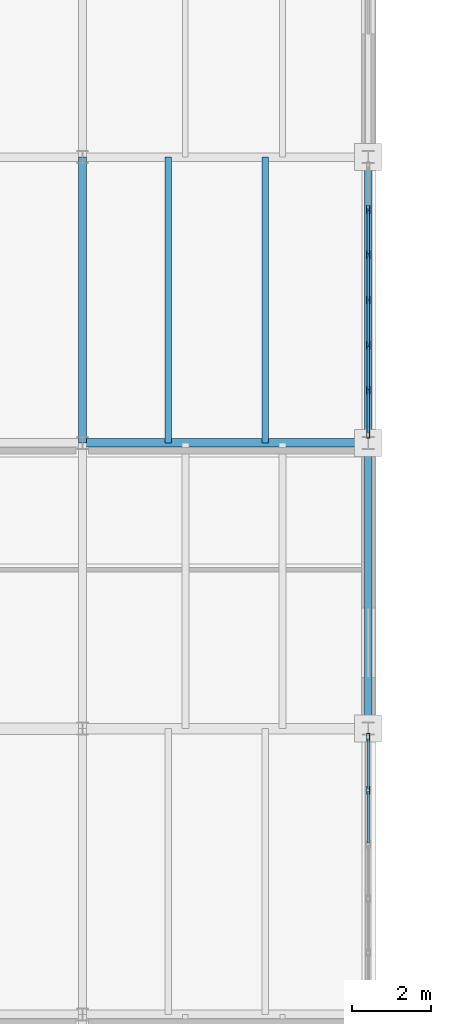
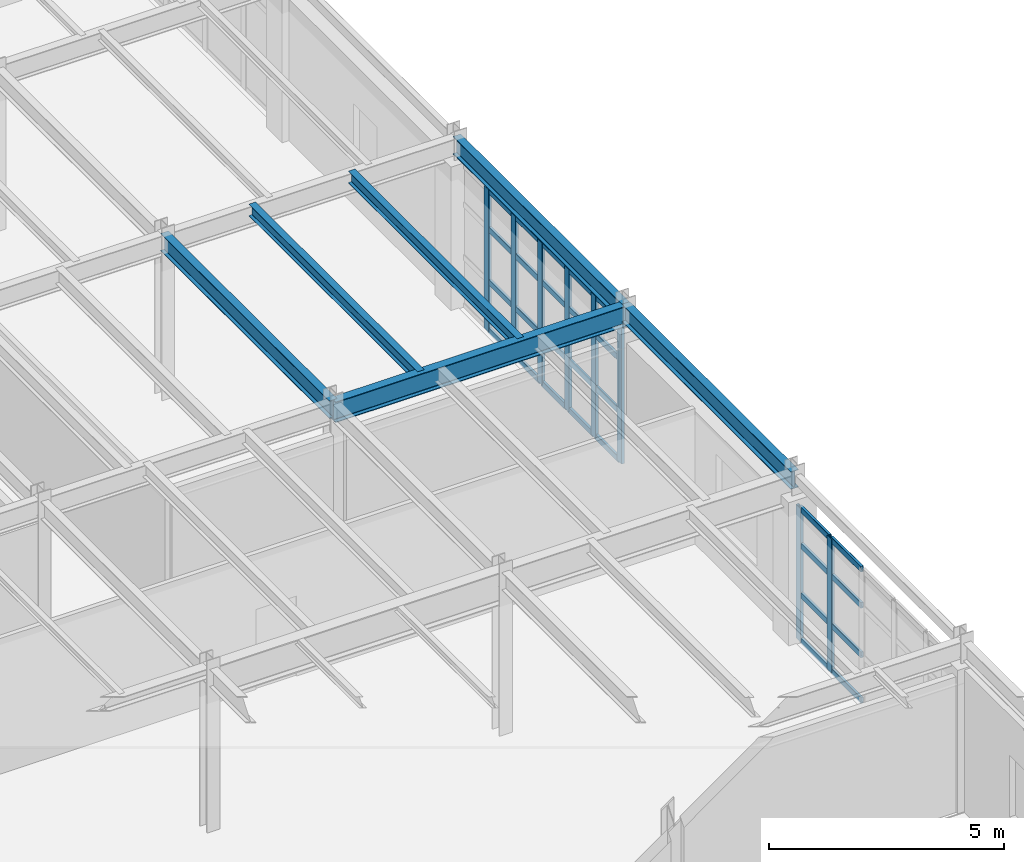
# One storey, part 39 of 137: 36 members, 6 beams, 2 elements without a shape of their own.
"""IFC4 building model written with IfcOpenShell, lengths in metres."""

from ifc_helpers import new_model, si_unit, direction, frame, origin, origin_2d, place, context, subcontext, project, spatial, hollow_rectangle, i_section, extrude, material, layer, layer_set, material_profile, profile_set, type_object, element, aggregate, save


model = new_model("IFC4")

# Units and contexts
model_context = context("Model", 3, precision=1e-05, world=origin(), true_north=direction((0.0, 1.0)))
body_context = subcontext(model_context, "Body", "Model", "MODEL_VIEW")
ifc_project = project(units=[si_unit("LENGTHUNIT", "METRE"), si_unit("AREAUNIT", "SQUARE_METRE"), si_unit("VOLUMEUNIT", "CUBIC_METRE"), si_unit("PLANEANGLEUNIT", "RADIAN"), si_unit("MASSUNIT", "GRAM", prefix="KILO")], contexts=[model_context])

# Site, building, storey
site_placement = place(None, origin())
site = spatial("IfcSite", under=ifc_project, at=site_placement, CompositionType="ELEMENT")
building_placement = place(site_placement, origin())
building = spatial("IfcBuilding", under=site, at=building_placement, Name="Kemerveld Promenade Tramway Depot", CompositionType="ELEMENT")
storey_placement = place(building_placement, frame((0.0, 0.0, 5.39990234375)))
storey = spatial("IfcBuildingStorey", under=building, at=storey_placement, Name="L01", CompositionType="ELEMENT", Elevation=5.39990234375)

# Beams
ifc_material_1 = material(Name="Steel S355", Category="steel")
ifc_material_profile_1 = material_profile(ifc_material_1, i_section(OverallWidth=0.2099609375, OverallDepth=0.53662109375, WebThickness=0.0107421875, FlangeThickness=0.017333984375, FilletRadius=0.0126953125, at=origin_2d()), Name="533x210x101 UB")
ifc_profile_set_1 = profile_set([ifc_material_profile_1], Name="Steel S355")
beam_type_1 = type_object("IfcBeamType", Name="BM-G05", PredefinedType="BEAM", material=ifc_profile_set_1)
beam_1_placement = place(storey_placement, frame((50.39990234375, 57.60009765625, 3.99169921875), z_axis=(1.0, 0.0, 0.0), x_axis=(0.0, 1.0, 0.0)))
element("IfcBeam", 1, at=beam_1_placement, inside=storey, type_object=beam_type_1, Name="BMX-L01-08-09-J", PredefinedType="BEAM", context=body_context, shape_type="SweptSolid", body=[
    extrude(i_section(OverallWidth=0.2099609375, OverallDepth=0.53662109375, WebThickness=0.0107421875, FlangeThickness=0.017333984375, FilletRadius=0.0126953125, at=origin_2d()), origin(), (0.0, 0.0, 1.0), 7.2001953125),
])
ifc_material_profile_2 = material_profile(ifc_material_1, i_section(OverallWidth=0.19140625, OverallDepth=0.4599609375, WebThickness=0.010009765625, FlangeThickness=0.01611328125, FilletRadius=0.01025390625, at=origin_2d()), Name="457x191x82 UB")
ifc_profile_set_2 = profile_set([ifc_material_profile_2], Name="Steel S355")
beam_type_2 = type_object("IfcBeamType", Name="BM-G06", PredefinedType="BEAM", material=ifc_profile_set_2)
beam_2_placement = place(storey_placement, frame((50.39990234375, 57.60009765625, 4.030029296875), z_axis=(0.0, 1.0, 0.0), x_axis=(-1.0, 0.0, 0.0)))
element("IfcBeam", 2, at=beam_2_placement, inside=storey, type_object=beam_type_2, Name="BMY-L01-08-J-K", PredefinedType="BEAM", context=body_context, shape_type="SweptSolid", body=[
    extrude(i_section(OverallWidth=0.19140625, OverallDepth=0.4599609375, WebThickness=0.010009765625, FlangeThickness=0.01611328125, FilletRadius=0.01025390625, at=origin_2d()), origin(), (0.0, 0.0, 1.0), 7.199951171875),
])
beam_3_placement = place(storey_placement, frame((57.60009765625, 50.39990234375, 4.030029296875), z_axis=(0.0, 1.0, 0.0), x_axis=(-1.0, 0.0, 0.0)))
element("IfcBeam", 3, at=beam_3_placement, inside=storey, type_object=beam_type_2, Name="BMY-L01-09-H-J", PredefinedType="BEAM", context=body_context, shape_type="SweptSolid", body=[
    extrude(i_section(OverallWidth=0.19140625, OverallDepth=0.4599609375, WebThickness=0.010009765625, FlangeThickness=0.01611328125, FilletRadius=0.01025390625, at=origin_2d()), origin(), (0.0, 0.0, 1.0), 7.2001953125),
])
beam_4_placement = place(storey_placement, frame((57.60009765625, 57.60009765625, 4.030029296875), z_axis=(0.0, 1.0, 0.0), x_axis=(-1.0, 0.0, 0.0)))
element("IfcBeam", 4, at=beam_4_placement, inside=storey, type_object=beam_type_2, Name="BMY-L01-09-J-K", PredefinedType="BEAM", context=body_context, shape_type="SweptSolid", body=[
    extrude(i_section(OverallWidth=0.19140625, OverallDepth=0.4599609375, WebThickness=0.010009765625, FlangeThickness=0.01611328125, FilletRadius=0.01025390625, at=origin_2d()), origin(), (0.0, 0.0, 1.0), 7.199951171875),
])
ifc_material_profile_3 = material_profile(ifc_material_1, i_section(OverallWidth=0.165771484375, OverallDepth=0.306640625, WebThickness=0.006591796875, FlangeThickness=0.01171875, FilletRadius=0.0087890625, at=origin_2d()), Name="305x165x46 UB")
ifc_profile_set_3 = profile_set([ifc_material_profile_3], Name="Steel S355")
beam_type_3 = type_object("IfcBeamType", Name="BM-J01", PredefinedType="JOIST", material=ifc_profile_set_3)
for number, where, z_axis, x_axis, name in (
    (5, (52.56005859375, 57.60009765625, 4.106689453125), (0.0, 1.0, 0.0), (-1.0, 0.0, 0.0), "JST-L01-08-J-1"),
    (6, (55.008056640625, 57.60009765625, 4.106689453125), (0.0, 1.0, 0.0), (-1.0, 0.0, 0.0), "JST-L01-08-J-2"),
):
    element("IfcBeam", number, at=place(storey_placement, frame(where, z_axis=z_axis, x_axis=x_axis)), inside=storey, type_object=beam_type_3, Name=name, PredefinedType="JOIST", context=body_context, shape_type="SweptSolid", body=[
        extrude(i_section(OverallWidth=0.165771484375, OverallDepth=0.306640625, WebThickness=0.006591796875, FlangeThickness=0.01171875, FilletRadius=0.0087890625, at=origin_2d()), origin(), (0.0, 0.0, 1.0), 7.199951171875),
    ])

# Curtain wall, members
ifc_material_2 = material(Name="Bronze anodised aluminium and solar glass", Category="aluminium")
ifc_layer_1 = layer(ifc_material_2, 0.199951171875)
ifc_layer_set_1 = layer_set([ifc_layer_1], Name="CW-SYS-06")
curtain_wall_type_1 = type_object("IfcCurtainWallType", Name="CW-SYS-06", PredefinedType="USERDEFINED", material=ifc_layer_set_1)
curtain_wall_1_placement = place(storey_placement, origin())
curtain_wall_1 = element("IfcCurtainWall", 7, at=curtain_wall_1_placement, inside=storey, type_object=curtain_wall_type_1, Name="CW-L01-V5E-03", ObjectType="GLAZED_CURTAIN_WALL", PredefinedType="USERDEFINED")
ifc_material_3 = material(Name="Bronze anodised aluminium", Category="aluminium")
ifc_material_profile_4 = material_profile(ifc_material_3, hollow_rectangle(XDim=0.074951171875, YDim=0.199951171875, WallThickness=0.0048828125, InnerFilletRadius=0.001953125, OuterFilletRadius=0.0048828125, at=origin_2d()), Name="CW-MUL-200x75")
ifc_profile_set_4 = profile_set([ifc_material_profile_4], Name="Bronze anodised aluminium")
member_type_1 = type_object("IfcMemberType", Name="CW-MUL-B", PredefinedType="MULLION", material=ifc_profile_set_4)
member_1_placement = place(storey_placement, frame((57.60009765625, 63.477783203125, 0.0), z_axis=(0.0, 0.0, 1.0), x_axis=(1.0, 0.0, 0.0)))
member_1 = element("IfcMember", 8, at=member_1_placement, type_object=member_type_1, Name="CW06 mullion 2", PredefinedType="MULLION", context=body_context, shape_type="SweptSolid", body=[
    extrude(hollow_rectangle(XDim=0.074951171875, YDim=0.199951171875, WallThickness=0.0048828125, InnerFilletRadius=0.001953125, OuterFilletRadius=0.0048828125, at=origin_2d()), origin(), (0.0, 0.0, 1.0), 3.70361328125),
])
member_2_placement = place(storey_placement, frame((57.60009765625, 62.3388671875, 0.0), z_axis=(0.0, 0.0, 1.0), x_axis=(1.0, 0.0, 0.0)))
member_2 = element("IfcMember", 9, at=member_2_placement, type_object=member_type_1, Name="CW06 mullion 3", PredefinedType="MULLION", context=body_context, shape_type="SweptSolid", body=[
    extrude(hollow_rectangle(XDim=0.074951171875, YDim=0.199951171875, WallThickness=0.0048828125, InnerFilletRadius=0.001953125, OuterFilletRadius=0.0048828125, at=origin_2d()), origin(), (0.0, 0.0, 1.0), 3.70361328125),
])
member_3_placement = place(storey_placement, frame((57.60009765625, 61.199951171875, 0.0), z_axis=(0.0, 0.0, 1.0), x_axis=(1.0, 0.0, 0.0)))
member_3 = element("IfcMember", 10, at=member_3_placement, type_object=member_type_1, Name="CW06 mullion 4", PredefinedType="MULLION", context=body_context, shape_type="SweptSolid", body=[
    extrude(hollow_rectangle(XDim=0.074951171875, YDim=0.199951171875, WallThickness=0.0048828125, InnerFilletRadius=0.001953125, OuterFilletRadius=0.0048828125, at=origin_2d()), origin(), (0.0, 0.0, 1.0), 3.70361328125),
])
member_4_placement = place(storey_placement, frame((57.60009765625, 60.061279296875, 0.0), z_axis=(0.0, 0.0, 1.0), x_axis=(1.0, 0.0, 0.0)))
member_4 = element("IfcMember", 11, at=member_4_placement, type_object=member_type_1, Name="CW06 mullion 5", PredefinedType="MULLION", context=body_context, shape_type="SweptSolid", body=[
    extrude(hollow_rectangle(XDim=0.074951171875, YDim=0.199951171875, WallThickness=0.0048828125, InnerFilletRadius=0.001953125, OuterFilletRadius=0.0048828125, at=origin_2d()), origin(), (0.0, 0.0, 1.0), 3.70361328125),
])
member_5_placement = place(storey_placement, frame((57.60009765625, 58.92236328125, 0.0), z_axis=(0.0, 0.0, 1.0), x_axis=(1.0, 0.0, 0.0)))
member_5 = element("IfcMember", 12, at=member_5_placement, type_object=member_type_1, Name="CW06 mullion 6", PredefinedType="MULLION", context=body_context, shape_type="SweptSolid", body=[
    extrude(hollow_rectangle(XDim=0.074951171875, YDim=0.199951171875, WallThickness=0.0048828125, InnerFilletRadius=0.001953125, OuterFilletRadius=0.0048828125, at=origin_2d()), origin(), (0.0, 0.0, 1.0), 3.70361328125),
])
member_6_placement = place(storey_placement, frame((57.60009765625, 57.821044921875, 0.0), z_axis=(0.0, 0.0, 1.0), x_axis=(1.0, 0.0, 0.0)))
member_6 = element("IfcMember", 13, at=member_6_placement, type_object=member_type_1, Name="CW06 mullion 7", PredefinedType="MULLION", context=body_context, shape_type="SweptSolid", body=[
    extrude(hollow_rectangle(XDim=0.074951171875, YDim=0.199951171875, WallThickness=0.0048828125, InnerFilletRadius=0.001953125, OuterFilletRadius=0.0048828125, at=origin_2d()), origin(), (0.0, 0.0, 1.0), 3.70361328125),
])

ifc_layer_2 = layer(ifc_material_2, 0.199951171875)
ifc_layer_set_2 = layer_set([ifc_layer_2], Name="CW-SYS-08")
curtain_wall_type_2 = type_object("IfcCurtainWallType", Name="CW-SYS-08", PredefinedType="USERDEFINED", material=ifc_layer_set_2)
curtain_wall_2_placement = place(storey_placement, origin())
curtain_wall_2 = element("IfcCurtainWall", 14, at=curtain_wall_2_placement, inside=storey, type_object=curtain_wall_type_2, Name="CW-L01-V5E-05", ObjectType="GLAZED_CURTAIN_WALL", PredefinedType="USERDEFINED")
member_7_placement = place(storey_placement, frame((57.60009765625, 50.178955078125, 0.0), z_axis=(0.0, 0.0, 1.0), x_axis=(1.0, 0.0, 0.0)))
member_7 = element("IfcMember", 15, at=member_7_placement, type_object=member_type_1, Name="CW08 mullion 1", PredefinedType="MULLION", context=body_context, shape_type="SweptSolid", body=[
    extrude(hollow_rectangle(XDim=0.074951171875, YDim=0.199951171875, WallThickness=0.0048828125, InnerFilletRadius=0.001953125, OuterFilletRadius=0.0048828125, at=origin_2d()), origin(), (0.0, 0.0, 1.0), 3.477783203125),
])
member_8_placement = place(storey_placement, frame((57.60009765625, 48.849853515625, 0.0), z_axis=(0.0, 0.0, 1.0), x_axis=(1.0, 0.0, 0.0)))
member_8 = element("IfcMember", 16, at=member_8_placement, type_object=member_type_1, Name="CW08 mullion 2", PredefinedType="MULLION", context=body_context, shape_type="SweptSolid", body=[
    extrude(hollow_rectangle(XDim=0.074951171875, YDim=0.199951171875, WallThickness=0.0048828125, InnerFilletRadius=0.001953125, OuterFilletRadius=0.0048828125, at=origin_2d()), origin(), (0.0, 0.0, 1.0), 3.477783203125),
])

# Member
ifc_material_profile_5 = material_profile(ifc_material_3, hollow_rectangle(XDim=0.06494140625, YDim=0.14990234375, WallThickness=0.00439453125, InnerFilletRadius=0.001953125, OuterFilletRadius=0.00439453125, at=origin_2d()), Name="CW-TRN-150x65")
ifc_profile_set_5 = profile_set([ifc_material_profile_5], Name="Bronze anodised aluminium")
member_type_2 = type_object("IfcMemberType", Name="CW-TRN-B", PredefinedType="USERDEFINED", material=ifc_profile_set_5)
member_9_placement = place(storey_placement, frame((57.60009765625, 63.440185546875, 0.03271484375), z_axis=(0.0, -1.0, 0.0), x_axis=(1.0, 0.0, 0.0)))
member_9 = element("IfcMember", 17, at=member_9_placement, type_object=member_type_2, Name="CW06 transom 2.1", ObjectType="TRANSOM", PredefinedType="USERDEFINED", context=body_context, shape_type="SweptSolid", body=[
    extrude(hollow_rectangle(XDim=0.06494140625, YDim=0.14990234375, WallThickness=0.00439453125, InnerFilletRadius=0.001953125, OuterFilletRadius=0.00439453125, at=origin_2d()), origin(), (0.0, 0.0, 1.0), 1.06396484375),
])

member_10_placement = place(storey_placement, frame((57.60009765625, 63.440185546875, 1.296142578125), z_axis=(0.0, -1.0, 0.0), x_axis=(1.0, 0.0, 0.0)))
member_10 = element("IfcMember", 18, at=member_10_placement, type_object=member_type_2, Name="CW06 transom 2.2", ObjectType="TRANSOM", PredefinedType="USERDEFINED", context=body_context, shape_type="SweptSolid", body=[
    extrude(hollow_rectangle(XDim=0.06494140625, YDim=0.14990234375, WallThickness=0.00439453125, InnerFilletRadius=0.001953125, OuterFilletRadius=0.00439453125, at=origin_2d()), origin(), (0.0, 0.0, 1.0), 1.06396484375),
])

member_11_placement = place(storey_placement, frame((57.60009765625, 63.440185546875, 2.666015625), z_axis=(0.0, -1.0, 0.0), x_axis=(1.0, 0.0, 0.0)))
member_11 = element("IfcMember", 19, at=member_11_placement, type_object=member_type_2, Name="CW06 transom 2.3", ObjectType="TRANSOM", PredefinedType="USERDEFINED", context=body_context, shape_type="SweptSolid", body=[
    extrude(hollow_rectangle(XDim=0.06494140625, YDim=0.14990234375, WallThickness=0.00439453125, InnerFilletRadius=0.001953125, OuterFilletRadius=0.00439453125, at=origin_2d()), origin(), (0.0, 0.0, 1.0), 1.06396484375),
])

member_12_placement = place(storey_placement, frame((57.60009765625, 63.440185546875, 3.6708984375), z_axis=(0.0, -1.0, 0.0), x_axis=(1.0, 0.0, 0.0)))
member_12 = element("IfcMember", 20, at=member_12_placement, type_object=member_type_2, Name="CW06 transom 2.4", ObjectType="TRANSOM", PredefinedType="USERDEFINED", context=body_context, shape_type="SweptSolid", body=[
    extrude(hollow_rectangle(XDim=0.06494140625, YDim=0.14990234375, WallThickness=0.00439453125, InnerFilletRadius=0.001953125, OuterFilletRadius=0.00439453125, at=origin_2d()), origin(), (0.0, 0.0, 1.0), 1.06396484375),
])

member_13_placement = place(storey_placement, frame((57.60009765625, 62.30126953125, 0.03271484375), z_axis=(0.0, -1.0, 0.0), x_axis=(1.0, 0.0, 0.0)))
member_13 = element("IfcMember", 21, at=member_13_placement, type_object=member_type_2, Name="CW06 transom 3.1", ObjectType="TRANSOM", PredefinedType="USERDEFINED", context=body_context, shape_type="SweptSolid", body=[
    extrude(hollow_rectangle(XDim=0.06494140625, YDim=0.14990234375, WallThickness=0.00439453125, InnerFilletRadius=0.001953125, OuterFilletRadius=0.00439453125, at=origin_2d()), origin(), (0.0, 0.0, 1.0), 1.063720703125),
])

member_14_placement = place(storey_placement, frame((57.60009765625, 62.30126953125, 1.296142578125), z_axis=(0.0, -1.0, 0.0), x_axis=(1.0, 0.0, 0.0)))
member_14 = element("IfcMember", 22, at=member_14_placement, type_object=member_type_2, Name="CW06 transom 3.2", ObjectType="TRANSOM", PredefinedType="USERDEFINED", context=body_context, shape_type="SweptSolid", body=[
    extrude(hollow_rectangle(XDim=0.06494140625, YDim=0.14990234375, WallThickness=0.00439453125, InnerFilletRadius=0.001953125, OuterFilletRadius=0.00439453125, at=origin_2d()), origin(), (0.0, 0.0, 1.0), 1.063720703125),
])

member_15_placement = place(storey_placement, frame((57.60009765625, 62.30126953125, 2.666015625), z_axis=(0.0, -1.0, 0.0), x_axis=(1.0, 0.0, 0.0)))
member_15 = element("IfcMember", 23, at=member_15_placement, type_object=member_type_2, Name="CW06 transom 3.3", ObjectType="TRANSOM", PredefinedType="USERDEFINED", context=body_context, shape_type="SweptSolid", body=[
    extrude(hollow_rectangle(XDim=0.06494140625, YDim=0.14990234375, WallThickness=0.00439453125, InnerFilletRadius=0.001953125, OuterFilletRadius=0.00439453125, at=origin_2d()), origin(), (0.0, 0.0, 1.0), 1.063720703125),
])

member_16_placement = place(storey_placement, frame((57.60009765625, 62.30126953125, 3.6708984375), z_axis=(0.0, -1.0, 0.0), x_axis=(1.0, 0.0, 0.0)))
member_16 = element("IfcMember", 24, at=member_16_placement, type_object=member_type_2, Name="CW06 transom 3.4", ObjectType="TRANSOM", PredefinedType="USERDEFINED", context=body_context, shape_type="SweptSolid", body=[
    extrude(hollow_rectangle(XDim=0.06494140625, YDim=0.14990234375, WallThickness=0.00439453125, InnerFilletRadius=0.001953125, OuterFilletRadius=0.00439453125, at=origin_2d()), origin(), (0.0, 0.0, 1.0), 1.063720703125),
])

member_17_placement = place(storey_placement, frame((57.60009765625, 61.16259765625, 0.03271484375), z_axis=(0.0, -1.0, 0.0), x_axis=(1.0, 0.0, 0.0)))
member_17 = element("IfcMember", 25, at=member_17_placement, type_object=member_type_2, Name="CW06 transom 4.1", ObjectType="TRANSOM", PredefinedType="USERDEFINED", context=body_context, shape_type="SweptSolid", body=[
    extrude(hollow_rectangle(XDim=0.06494140625, YDim=0.14990234375, WallThickness=0.00439453125, InnerFilletRadius=0.001953125, OuterFilletRadius=0.00439453125, at=origin_2d()), origin(), (0.0, 0.0, 1.0), 1.06396484375),
])

member_18_placement = place(storey_placement, frame((57.60009765625, 61.16259765625, 1.296142578125), z_axis=(0.0, -1.0, 0.0), x_axis=(1.0, 0.0, 0.0)))
member_18 = element("IfcMember", 26, at=member_18_placement, type_object=member_type_2, Name="CW06 transom 4.2", ObjectType="TRANSOM", PredefinedType="USERDEFINED", context=body_context, shape_type="SweptSolid", body=[
    extrude(hollow_rectangle(XDim=0.06494140625, YDim=0.14990234375, WallThickness=0.00439453125, InnerFilletRadius=0.001953125, OuterFilletRadius=0.00439453125, at=origin_2d()), origin(), (0.0, 0.0, 1.0), 1.06396484375),
])

member_19_placement = place(storey_placement, frame((57.60009765625, 61.16259765625, 2.666015625), z_axis=(0.0, -1.0, 0.0), x_axis=(1.0, 0.0, 0.0)))
member_19 = element("IfcMember", 27, at=member_19_placement, type_object=member_type_2, Name="CW06 transom 4.3", ObjectType="TRANSOM", PredefinedType="USERDEFINED", context=body_context, shape_type="SweptSolid", body=[
    extrude(hollow_rectangle(XDim=0.06494140625, YDim=0.14990234375, WallThickness=0.00439453125, InnerFilletRadius=0.001953125, OuterFilletRadius=0.00439453125, at=origin_2d()), origin(), (0.0, 0.0, 1.0), 1.06396484375),
])

member_20_placement = place(storey_placement, frame((57.60009765625, 61.16259765625, 3.6708984375), z_axis=(0.0, -1.0, 0.0), x_axis=(1.0, 0.0, 0.0)))
member_20 = element("IfcMember", 28, at=member_20_placement, type_object=member_type_2, Name="CW06 transom 4.4", ObjectType="TRANSOM", PredefinedType="USERDEFINED", context=body_context, shape_type="SweptSolid", body=[
    extrude(hollow_rectangle(XDim=0.06494140625, YDim=0.14990234375, WallThickness=0.00439453125, InnerFilletRadius=0.001953125, OuterFilletRadius=0.00439453125, at=origin_2d()), origin(), (0.0, 0.0, 1.0), 1.06396484375),
])

member_21_placement = place(storey_placement, frame((57.60009765625, 60.023681640625, 0.03271484375), z_axis=(0.0, -1.0, 0.0), x_axis=(1.0, 0.0, 0.0)))
member_21 = element("IfcMember", 29, at=member_21_placement, type_object=member_type_2, Name="CW06 transom 5.1", ObjectType="TRANSOM", PredefinedType="USERDEFINED", context=body_context, shape_type="SweptSolid", body=[
    extrude(hollow_rectangle(XDim=0.06494140625, YDim=0.14990234375, WallThickness=0.00439453125, InnerFilletRadius=0.001953125, OuterFilletRadius=0.00439453125, at=origin_2d()), origin(), (0.0, 0.0, 1.0), 1.06396484375),
])

member_22_placement = place(storey_placement, frame((57.60009765625, 60.023681640625, 1.296142578125), z_axis=(0.0, -1.0, 0.0), x_axis=(1.0, 0.0, 0.0)))
member_22 = element("IfcMember", 30, at=member_22_placement, type_object=member_type_2, Name="CW06 transom 5.2", ObjectType="TRANSOM", PredefinedType="USERDEFINED", context=body_context, shape_type="SweptSolid", body=[
    extrude(hollow_rectangle(XDim=0.06494140625, YDim=0.14990234375, WallThickness=0.00439453125, InnerFilletRadius=0.001953125, OuterFilletRadius=0.00439453125, at=origin_2d()), origin(), (0.0, 0.0, 1.0), 1.06396484375),
])

member_23_placement = place(storey_placement, frame((57.60009765625, 60.023681640625, 2.666015625), z_axis=(0.0, -1.0, 0.0), x_axis=(1.0, 0.0, 0.0)))
member_23 = element("IfcMember", 31, at=member_23_placement, type_object=member_type_2, Name="CW06 transom 5.3", ObjectType="TRANSOM", PredefinedType="USERDEFINED", context=body_context, shape_type="SweptSolid", body=[
    extrude(hollow_rectangle(XDim=0.06494140625, YDim=0.14990234375, WallThickness=0.00439453125, InnerFilletRadius=0.001953125, OuterFilletRadius=0.00439453125, at=origin_2d()), origin(), (0.0, 0.0, 1.0), 1.06396484375),
])

member_24_placement = place(storey_placement, frame((57.60009765625, 60.023681640625, 3.6708984375), z_axis=(0.0, -1.0, 0.0), x_axis=(1.0, 0.0, 0.0)))
member_24 = element("IfcMember", 32, at=member_24_placement, type_object=member_type_2, Name="CW06 transom 5.4", ObjectType="TRANSOM", PredefinedType="USERDEFINED", context=body_context, shape_type="SweptSolid", body=[
    extrude(hollow_rectangle(XDim=0.06494140625, YDim=0.14990234375, WallThickness=0.00439453125, InnerFilletRadius=0.001953125, OuterFilletRadius=0.00439453125, at=origin_2d()), origin(), (0.0, 0.0, 1.0), 1.06396484375),
])

member_25_placement = place(storey_placement, frame((57.60009765625, 58.884765625, 0.03271484375), z_axis=(0.0, -1.0, 0.0), x_axis=(1.0, 0.0, 0.0)))
member_25 = element("IfcMember", 33, at=member_25_placement, type_object=member_type_2, Name="CW06 transom 6.1", ObjectType="TRANSOM", PredefinedType="USERDEFINED", context=body_context, shape_type="SweptSolid", body=[
    extrude(hollow_rectangle(XDim=0.06494140625, YDim=0.14990234375, WallThickness=0.00439453125, InnerFilletRadius=0.001953125, OuterFilletRadius=0.00439453125, at=origin_2d()), origin(), (0.0, 0.0, 1.0), 1.0263671875),
])

member_26_placement = place(storey_placement, frame((57.60009765625, 58.884765625, 1.296142578125), z_axis=(0.0, -1.0, 0.0), x_axis=(1.0, 0.0, 0.0)))
member_26 = element("IfcMember", 34, at=member_26_placement, type_object=member_type_2, Name="CW06 transom 6.2", ObjectType="TRANSOM", PredefinedType="USERDEFINED", context=body_context, shape_type="SweptSolid", body=[
    extrude(hollow_rectangle(XDim=0.06494140625, YDim=0.14990234375, WallThickness=0.00439453125, InnerFilletRadius=0.001953125, OuterFilletRadius=0.00439453125, at=origin_2d()), origin(), (0.0, 0.0, 1.0), 1.0263671875),
])

member_27_placement = place(storey_placement, frame((57.60009765625, 58.884765625, 2.666015625), z_axis=(0.0, -1.0, 0.0), x_axis=(1.0, 0.0, 0.0)))
member_27 = element("IfcMember", 35, at=member_27_placement, type_object=member_type_2, Name="CW06 transom 6.3", ObjectType="TRANSOM", PredefinedType="USERDEFINED", context=body_context, shape_type="SweptSolid", body=[
    extrude(hollow_rectangle(XDim=0.06494140625, YDim=0.14990234375, WallThickness=0.00439453125, InnerFilletRadius=0.001953125, OuterFilletRadius=0.00439453125, at=origin_2d()), origin(), (0.0, 0.0, 1.0), 1.0263671875),
])

member_28_placement = place(storey_placement, frame((57.60009765625, 58.884765625, 3.6708984375), z_axis=(0.0, -1.0, 0.0), x_axis=(1.0, 0.0, 0.0)))
member_28 = element("IfcMember", 36, at=member_28_placement, type_object=member_type_2, Name="CW06 transom 6.4", ObjectType="TRANSOM", PredefinedType="USERDEFINED", context=body_context, shape_type="SweptSolid", body=[
    extrude(hollow_rectangle(XDim=0.06494140625, YDim=0.14990234375, WallThickness=0.00439453125, InnerFilletRadius=0.001953125, OuterFilletRadius=0.00439453125, at=origin_2d()), origin(), (0.0, 0.0, 1.0), 1.0263671875),
])

aggregate(curtain_wall_1, [member_1, member_2, member_3, member_4, member_5, member_6, member_9, member_10, member_11, member_12, member_13, member_14, member_15, member_16, member_17, member_18, member_19, member_20, member_21, member_22, member_23, member_24, member_25, member_26, member_27, member_28])

member_29_placement = place(storey_placement, frame((57.60009765625, 50.1416015625, 0.03271484375), z_axis=(0.0, -1.0, 0.0), x_axis=(1.0, 0.0, 0.0)))
member_29 = element("IfcMember", 37, at=member_29_placement, type_object=member_type_2, Name="CW08 transom 1.1", ObjectType="TRANSOM", PredefinedType="USERDEFINED", context=body_context, shape_type="SweptSolid", body=[
    extrude(hollow_rectangle(XDim=0.06494140625, YDim=0.14990234375, WallThickness=0.00439453125, InnerFilletRadius=0.001953125, OuterFilletRadius=0.00439453125, at=origin_2d()), origin(), (0.0, 0.0, 1.0), 1.254150390625),
])

member_30_placement = place(storey_placement, frame((57.60009765625, 50.1416015625, 1.217041015625), z_axis=(0.0, -1.0, 0.0), x_axis=(1.0, 0.0, 0.0)))
member_30 = element("IfcMember", 38, at=member_30_placement, type_object=member_type_2, Name="CW08 transom 1.2", ObjectType="TRANSOM", PredefinedType="USERDEFINED", context=body_context, shape_type="SweptSolid", body=[
    extrude(hollow_rectangle(XDim=0.06494140625, YDim=0.14990234375, WallThickness=0.00439453125, InnerFilletRadius=0.001953125, OuterFilletRadius=0.00439453125, at=origin_2d()), origin(), (0.0, 0.0, 1.0), 1.254150390625),
])

member_31_placement = place(storey_placement, frame((57.60009765625, 50.1416015625, 2.504150390625), z_axis=(0.0, -1.0, 0.0), x_axis=(1.0, 0.0, 0.0)))
member_31 = element("IfcMember", 39, at=member_31_placement, type_object=member_type_2, Name="CW08 transom 1.3", ObjectType="TRANSOM", PredefinedType="USERDEFINED", context=body_context, shape_type="SweptSolid", body=[
    extrude(hollow_rectangle(XDim=0.06494140625, YDim=0.14990234375, WallThickness=0.00439453125, InnerFilletRadius=0.001953125, OuterFilletRadius=0.00439453125, at=origin_2d()), origin(), (0.0, 0.0, 1.0), 1.254150390625),
])

member_32_placement = place(storey_placement, frame((57.60009765625, 50.1416015625, 3.4453125), z_axis=(0.0, -1.0, 0.0), x_axis=(1.0, 0.0, 0.0)))
member_32 = element("IfcMember", 40, at=member_32_placement, type_object=member_type_2, Name="CW08 transom 1.4", ObjectType="TRANSOM", PredefinedType="USERDEFINED", context=body_context, shape_type="SweptSolid", body=[
    extrude(hollow_rectangle(XDim=0.06494140625, YDim=0.14990234375, WallThickness=0.00439453125, InnerFilletRadius=0.001953125, OuterFilletRadius=0.00439453125, at=origin_2d()), origin(), (0.0, 0.0, 1.0), 1.254150390625),
])

member_33_placement = place(storey_placement, frame((57.60009765625, 48.8125, 0.03271484375), z_axis=(0.0, -1.0, 0.0), x_axis=(1.0, 0.0, 0.0)))
member_33 = element("IfcMember", 41, at=member_33_placement, type_object=member_type_2, Name="CW08 transom 2.1", ObjectType="TRANSOM", PredefinedType="USERDEFINED", context=body_context, shape_type="SweptSolid", body=[
    extrude(hollow_rectangle(XDim=0.06494140625, YDim=0.14990234375, WallThickness=0.00439453125, InnerFilletRadius=0.001953125, OuterFilletRadius=0.00439453125, at=origin_2d()), origin(), (0.0, 0.0, 1.0), 1.291748046875),
])

member_34_placement = place(storey_placement, frame((57.60009765625, 48.8125, 1.217041015625), z_axis=(0.0, -1.0, 0.0), x_axis=(1.0, 0.0, 0.0)))
member_34 = element("IfcMember", 42, at=member_34_placement, type_object=member_type_2, Name="CW08 transom 2.2", ObjectType="TRANSOM", PredefinedType="USERDEFINED", context=body_context, shape_type="SweptSolid", body=[
    extrude(hollow_rectangle(XDim=0.06494140625, YDim=0.14990234375, WallThickness=0.00439453125, InnerFilletRadius=0.001953125, OuterFilletRadius=0.00439453125, at=origin_2d()), origin(), (0.0, 0.0, 1.0), 1.291748046875),
])

member_35_placement = place(storey_placement, frame((57.60009765625, 48.8125, 2.504150390625), z_axis=(0.0, -1.0, 0.0), x_axis=(1.0, 0.0, 0.0)))
member_35 = element("IfcMember", 43, at=member_35_placement, type_object=member_type_2, Name="CW08 transom 2.3", ObjectType="TRANSOM", PredefinedType="USERDEFINED", context=body_context, shape_type="SweptSolid", body=[
    extrude(hollow_rectangle(XDim=0.06494140625, YDim=0.14990234375, WallThickness=0.00439453125, InnerFilletRadius=0.001953125, OuterFilletRadius=0.00439453125, at=origin_2d()), origin(), (0.0, 0.0, 1.0), 1.291748046875),
])

member_36_placement = place(storey_placement, frame((57.60009765625, 48.8125, 3.4453125), z_axis=(0.0, -1.0, 0.0), x_axis=(1.0, 0.0, 0.0)))
member_36 = element("IfcMember", 44, at=member_36_placement, type_object=member_type_2, Name="CW08 transom 2.4", ObjectType="TRANSOM", PredefinedType="USERDEFINED", context=body_context, shape_type="SweptSolid", body=[
    extrude(hollow_rectangle(XDim=0.06494140625, YDim=0.14990234375, WallThickness=0.00439453125, InnerFilletRadius=0.001953125, OuterFilletRadius=0.00439453125, at=origin_2d()), origin(), (0.0, 0.0, 1.0), 1.291748046875),
])

aggregate(curtain_wall_2, [member_7, member_8, member_29, member_30, member_31, member_32, member_33, member_34, member_35, member_36])

save(model, "model.ifc")
